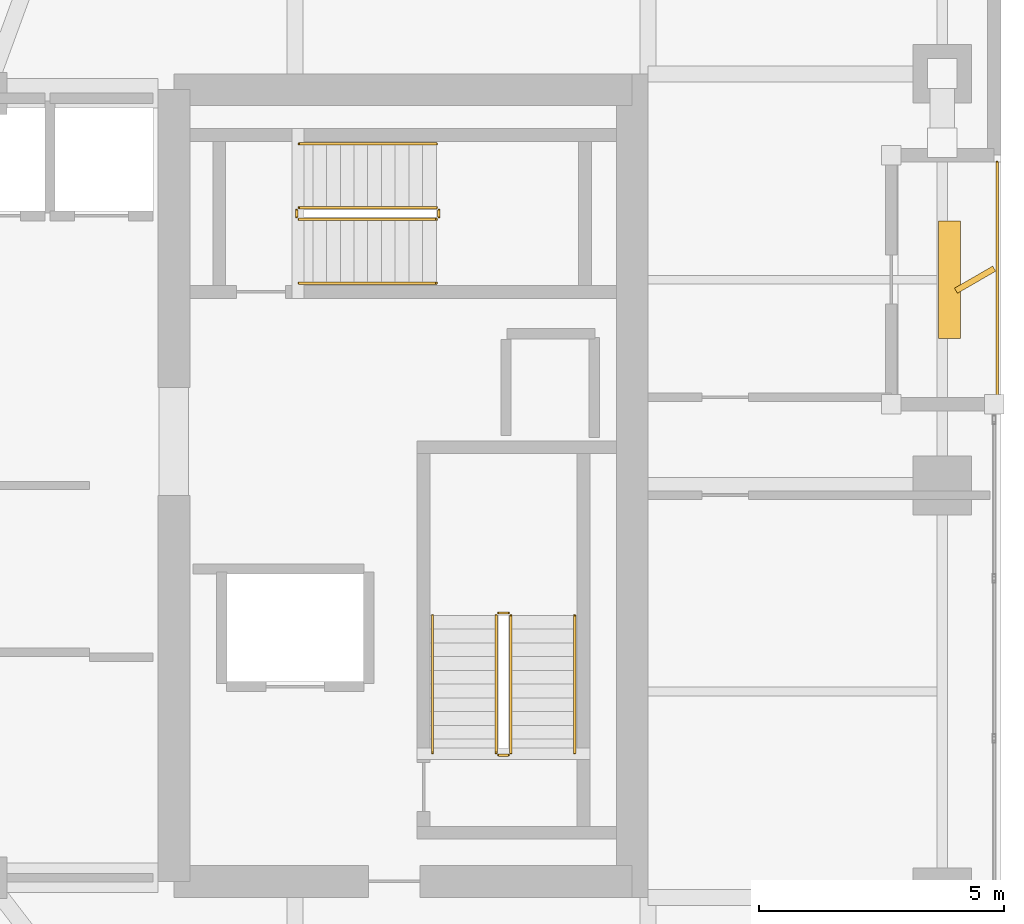
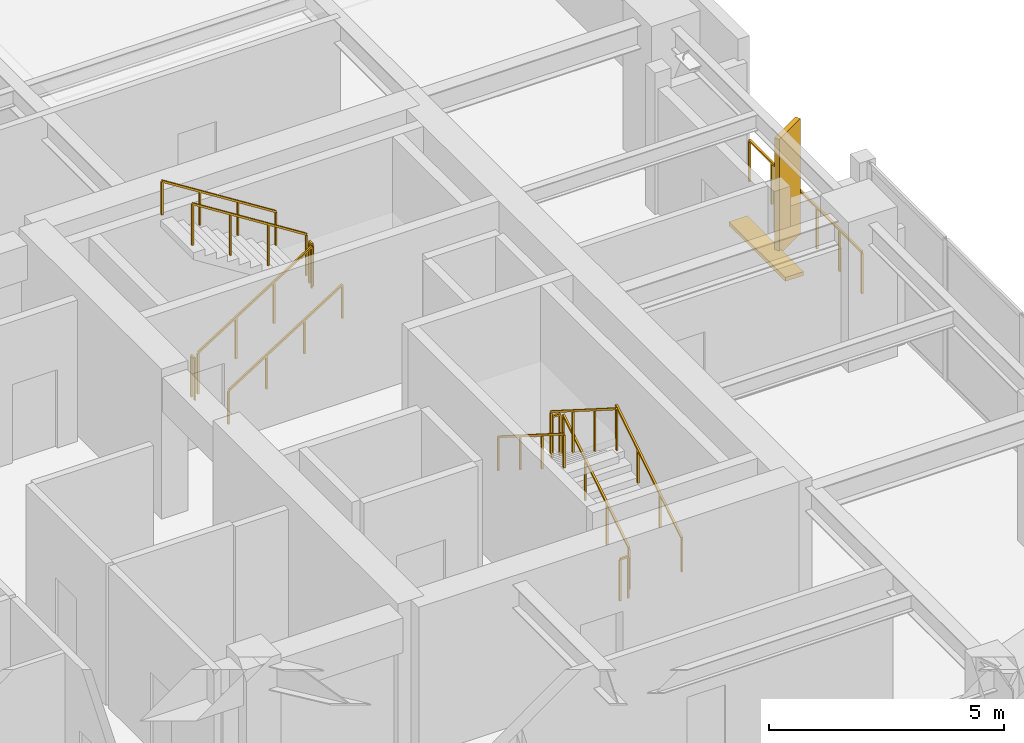
# One storey, part 29 of 30: 13 railings, 2 shading devices.
"""IFC4 building model written with IfcOpenShell, lengths in metres."""

from ifc_helpers import new_model, si_unit, direction, frame, origin, origin_2d, place, context, subcontext, project, spatial, rectangle, extrude, material, type_object, element, save


model = new_model("IFC4")

# Units and contexts
model_context = context("Model", 3, precision=1e-05, world=origin(), true_north=direction((0.0, 1.0)))
body_context = subcontext(model_context, "Body", "Model", "MODEL_VIEW")
ifc_project = project(units=[si_unit("LENGTHUNIT", "METRE"), si_unit("AREAUNIT", "SQUARE_METRE"), si_unit("VOLUMEUNIT", "CUBIC_METRE"), si_unit("PLANEANGLEUNIT", "RADIAN"), si_unit("MASSUNIT", "GRAM", prefix="KILO")], contexts=[model_context])

# Site, building, storey
site_placement = place(None, origin())
site = spatial("IfcSite", under=ifc_project, at=site_placement, CompositionType="ELEMENT")
building_placement = place(site_placement, origin())
building = spatial("IfcBuilding", under=site, at=building_placement, Name="Kiyonajd Concourse Tower", CompositionType="ELEMENT")
storey_placement = place(building_placement, frame((0.0, 0.0, 198.0)))
storey = spatial("IfcBuildingStorey", under=building, at=storey_placement, Name="L50", CompositionType="ELEMENT", Elevation=198.0)

# Railings
ifc_material_1 = material(Name="Thermally Broken Anodised Aluminium", Category="aluminium")
railing_type_1 = type_object("IfcRailingType", Name="RL-GRD-LOG", PredefinedType="GUARDRAIL", material=ifc_material_1)
railing_1_placement = place(storey_placement, frame((70.719970703125, 37.800048828125, 0.0)))
element("IfcRailing", 1, at=railing_1_placement, inside=storey, type_object=railing_type_1, Name="L50 Engawa Loggia Perimeter Guard LOG-E", PredefinedType="GUARDRAIL", context=body_context, shape_type="SweptSolid", body=[
    extrude(rectangle(XDim=0.048095703125, YDim=0.048095703125, at=origin_2d()), frame((0.0, 0.0, 1.076171875), z_axis=(0.0, 1.0, 0.0), x_axis=(-1.0, 0.0, 0.0)), (0.0, 0.0, 1.0), 4.800048828125),
    extrude(rectangle(XDim=0.0419921875, YDim=0.0419921875, at=origin_2d()), origin(), (0.0, 0.0, 1.0), 1.052001953125),
    extrude(rectangle(XDim=0.0419921875, YDim=0.0419921875, at=origin_2d()), frame((0.0, 0.9599609375, 0.0)), (0.0, 0.0, 1.0), 1.052001953125),
    extrude(rectangle(XDim=0.0419921875, YDim=0.0419921875, at=origin_2d()), frame((0.0, 1.919921875, 0.0)), (0.0, 0.0, 1.0), 1.052001953125),
    extrude(rectangle(XDim=0.0419921875, YDim=0.0419921875, at=origin_2d()), frame((0.0, 2.880126953125, 0.0)), (0.0, 0.0, 1.0), 1.052001953125),
    extrude(rectangle(XDim=0.0419921875, YDim=0.0419921875, at=origin_2d()), frame((0.0, 3.840087890625, 0.0)), (0.0, 0.0, 1.0), 1.052001953125),
    extrude(rectangle(XDim=0.0419921875, YDim=0.0419921875, at=origin_2d()), frame((0.0, 4.800048828125, 0.0)), (0.0, 0.0, 1.0), 1.052001953125),
])
ifc_material_2 = material(Name="Steel ASTM A500 Grade C", Category="steel")
railing_type_2 = type_object("IfcRailingType", Name="RL-GRD-STR", PredefinedType="GUARDRAIL", material=ifc_material_2)
railing_2_placement = place(storey_placement, frame((60.800048828125, 30.550048828125, 0.17724609375)))
element("IfcRailing", 2, at=railing_2_placement, inside=storey, type_object=railing_type_2, Name="L50 ST2 stair guard 1", PredefinedType="GUARDRAIL", context=body_context, shape_type="SweptSolid", body=[
    extrude(rectangle(XDim=0.048095703125, YDim=0.048095703125, at=origin_2d()), frame((0.0, 0.0, 1.076171875), z_axis=(0.0, 0.844908973607, 0.534910110503), x_axis=(-1.0, 0.0, 0.0)), (0.0, 0.0, 1.0), 3.31396484375),
    extrude(rectangle(XDim=0.0419921875, YDim=0.0419921875, at=origin_2d()), origin(), (0.0, 0.0, 1.0), 1.052001953125),
    extrude(rectangle(XDim=0.0419921875, YDim=0.0419921875, at=origin_2d()), frame((0.0, 0.933349609375, 0.5908203125)), (0.0, 0.0, 1.0), 1.052001953125),
    extrude(rectangle(XDim=0.0419921875, YDim=0.0419921875, at=origin_2d()), frame((0.0, 1.86669921875, 1.181884765625)), (0.0, 0.0, 1.0), 1.052001953125),
    extrude(rectangle(XDim=0.0419921875, YDim=0.0419921875, at=origin_2d()), frame((0.0, 2.800048828125, 1.772705078125)), (0.0, 0.0, 1.0), 1.052001953125),
])
railing_3_placement = place(storey_placement, frame((60.75, 33.39990234375, 1.949951171875)))
element("IfcRailing", 3, at=railing_3_placement, inside=storey, type_object=railing_type_2, Name="L50 ST2 stair guard 2", PredefinedType="GUARDRAIL", context=body_context, shape_type="SweptSolid", body=[
    extrude(rectangle(XDim=0.048095703125, YDim=0.048095703125, at=origin_2d()), frame((0.0, 0.0, 1.076171875), z_axis=(-1.0, 0.0, 0.0), x_axis=(0.0, -1.0, 0.0)), (0.0, 0.0, 1.0), 0.199951171875),
    extrude(rectangle(XDim=0.0419921875, YDim=0.0419921875, at=origin_2d()), origin(), (0.0, 0.0, 1.0), 1.052001953125),
    extrude(rectangle(XDim=0.0419921875, YDim=0.0419921875, at=origin_2d()), frame((-0.199951171875, 0.0, 0.0)), (0.0, 0.0, 1.0), 1.052001953125),
])
railing_4_placement = place(storey_placement, frame((60.5, 33.35009765625, 2.127197265625)))
element("IfcRailing", 4, at=railing_4_placement, inside=storey, type_object=railing_type_2, Name="L50 ST2 stair guard 3", PredefinedType="GUARDRAIL", context=body_context, shape_type="SweptSolid", body=[
    extrude(rectangle(XDim=0.048095703125, YDim=0.048095703125, at=origin_2d()), frame((0.0, 0.0, 1.076171875), z_axis=(0.0, -0.844908973607, 0.534910110503), x_axis=(1.0, 0.0, 0.0)), (0.0, 0.0, 1.0), 3.31396484375),
    extrude(rectangle(XDim=0.0419921875, YDim=0.0419921875, at=origin_2d()), origin(), (0.0, 0.0, 1.0), 1.052001953125),
    extrude(rectangle(XDim=0.0419921875, YDim=0.0419921875, at=origin_2d()), frame((0.0, -0.933349609375, 0.5908203125)), (0.0, 0.0, 1.0), 1.052001953125),
    extrude(rectangle(XDim=0.0419921875, YDim=0.0419921875, at=origin_2d()), frame((0.0, -1.86669921875, 1.181884765625)), (0.0, 0.0, 1.0), 1.052001953125),
    extrude(rectangle(XDim=0.0419921875, YDim=0.0419921875, at=origin_2d()), frame((0.0, -2.800048828125, 1.772705078125)), (0.0, 0.0, 1.0), 1.052001953125),
])
railing_5_placement = place(storey_placement, frame((60.75, 30.5, 0.0)))
element("IfcRailing", 5, at=railing_5_placement, inside=storey, type_object=railing_type_2, Name="L50 ST2 stair guard 4", PredefinedType="GUARDRAIL", context=body_context, shape_type="SweptSolid", body=[
    extrude(rectangle(XDim=0.048095703125, YDim=0.048095703125, at=origin_2d()), frame((0.0, 0.0, 1.076171875), z_axis=(-1.0, 0.0, 0.0), x_axis=(0.0, -1.0, 0.0)), (0.0, 0.0, 1.0), 0.199951171875),
    extrude(rectangle(XDim=0.0419921875, YDim=0.0419921875, at=origin_2d()), origin(), (0.0, 0.0, 1.0), 1.052001953125),
    extrude(rectangle(XDim=0.0419921875, YDim=0.0419921875, at=origin_2d()), frame((-0.199951171875, 0.0, 0.0)), (0.0, 0.0, 1.0), 1.052001953125),
])
railing_6_placement = place(storey_placement, frame((56.47998046875, 41.429931640625, 0.17724609375)))
element("IfcRailing", 6, at=railing_6_placement, inside=storey, type_object=railing_type_2, Name="L50 ST3 stair guard 1", PredefinedType="GUARDRAIL", context=body_context, shape_type="SweptSolid", body=[
    extrude(rectangle(XDim=0.048095703125, YDim=0.048095703125, at=origin_2d()), frame((0.0, 0.0, 1.076171875), z_axis=(0.844908973607, 0.0, 0.534910110503), x_axis=(0.0, 1.0, 0.0)), (0.0, 0.0, 1.0), 3.31396484375),
    extrude(rectangle(XDim=0.0419921875, YDim=0.0419921875, at=origin_2d()), origin(), (0.0, 0.0, 1.0), 1.052001953125),
    extrude(rectangle(XDim=0.0419921875, YDim=0.0419921875, at=origin_2d()), frame((0.933349609375, 0.0, 0.5908203125)), (0.0, 0.0, 1.0), 1.052001953125),
    extrude(rectangle(XDim=0.0419921875, YDim=0.0419921875, at=origin_2d()), frame((1.86669921875, 0.0, 1.181884765625)), (0.0, 0.0, 1.0), 1.052001953125),
    extrude(rectangle(XDim=0.0419921875, YDim=0.0419921875, at=origin_2d()), frame((2.800048828125, 0.0, 1.772705078125)), (0.0, 0.0, 1.0), 1.052001953125),
])
railing_7_placement = place(storey_placement, frame((59.330078125, 41.47998046875, 1.949951171875)))
element("IfcRailing", 7, at=railing_7_placement, inside=storey, type_object=railing_type_2, Name="L50 ST3 stair guard 2", PredefinedType="GUARDRAIL", context=body_context, shape_type="SweptSolid", body=[
    extrude(rectangle(XDim=0.048095703125, YDim=0.048095703125, at=origin_2d()), frame((0.0, 0.0, 1.076171875), z_axis=(0.0, 1.0, 0.0), x_axis=(-1.0, 0.0, 0.0)), (0.0, 0.0, 1.0), 0.14013671875),
    extrude(rectangle(XDim=0.0419921875, YDim=0.0419921875, at=origin_2d()), origin(), (0.0, 0.0, 1.0), 1.052001953125),
    extrude(rectangle(XDim=0.0419921875, YDim=0.0419921875, at=origin_2d()), frame((0.0, 0.14013671875, 0.0)), (0.0, 0.0, 1.0), 1.052001953125),
])
railing_8_placement = place(storey_placement, frame((59.280029296875, 41.669921875, 2.127197265625)))
element("IfcRailing", 8, at=railing_8_placement, inside=storey, type_object=railing_type_2, Name="L50 ST3 stair guard 3", PredefinedType="GUARDRAIL", context=body_context, shape_type="SweptSolid", body=[
    extrude(rectangle(XDim=0.048095703125, YDim=0.048095703125, at=origin_2d()), frame((0.0, 0.0, 1.076171875), z_axis=(-0.844908973607, 0.0, 0.534910110503), x_axis=(0.0, -1.0, 0.0)), (0.0, 0.0, 1.0), 3.31396484375),
    extrude(rectangle(XDim=0.0419921875, YDim=0.0419921875, at=origin_2d()), origin(), (0.0, 0.0, 1.0), 1.052001953125),
    extrude(rectangle(XDim=0.0419921875, YDim=0.0419921875, at=origin_2d()), frame((-0.933349609375, 0.0, 0.5908203125)), (0.0, 0.0, 1.0), 1.052001953125),
    extrude(rectangle(XDim=0.0419921875, YDim=0.0419921875, at=origin_2d()), frame((-1.86669921875, 0.0, 1.181884765625)), (0.0, 0.0, 1.0), 1.052001953125),
    extrude(rectangle(XDim=0.0419921875, YDim=0.0419921875, at=origin_2d()), frame((-2.800048828125, 0.0, 1.772705078125)), (0.0, 0.0, 1.0), 1.052001953125),
])
railing_9_placement = place(storey_placement, frame((56.429931640625, 41.47998046875, 0.0)))
element("IfcRailing", 9, at=railing_9_placement, inside=storey, type_object=railing_type_2, Name="L50 ST3 stair guard 4", PredefinedType="GUARDRAIL", context=body_context, shape_type="SweptSolid", body=[
    extrude(rectangle(XDim=0.048095703125, YDim=0.048095703125, at=origin_2d()), frame((0.0, 0.0, 1.076171875), z_axis=(0.0, 1.0, 0.0), x_axis=(-1.0, 0.0, 0.0)), (0.0, 0.0, 1.0), 0.14013671875),
    extrude(rectangle(XDim=0.0419921875, YDim=0.0419921875, at=origin_2d()), origin(), (0.0, 0.0, 1.0), 1.052001953125),
    extrude(rectangle(XDim=0.0419921875, YDim=0.0419921875, at=origin_2d()), frame((0.0, 0.14013671875, 0.0)), (0.0, 0.0, 1.0), 1.052001953125),
])
ifc_material_3 = material(Name="Brushed Stainless Steel Cab Assembly", Category="steel")
railing_type_3 = type_object("IfcRailingType", Name="RL-HND-900", PredefinedType="HANDRAIL", material=ifc_material_3)
railing_10_placement = place(storey_placement, frame((62.10009765625, 30.550048828125, 0.17724609375)))
element("IfcRailing", 10, at=railing_10_placement, inside=storey, type_object=railing_type_3, Name="L50 ST2 stair handrail 1", PredefinedType="HANDRAIL", context=body_context, shape_type="SweptSolid", body=[
    extrude(rectangle(XDim=0.048095703125, YDim=0.048095703125, at=origin_2d()), frame((0.0, 0.0, 0.8759765625), z_axis=(0.0, 0.844908973607, 0.534910110503), x_axis=(-1.0, 0.0, 0.0)), (0.0, 0.0, 1.0), 3.31396484375),
    extrude(rectangle(XDim=0.0419921875, YDim=0.0419921875, at=origin_2d()), origin(), (0.0, 0.0, 1.0), 0.851806640625),
    extrude(rectangle(XDim=0.0419921875, YDim=0.0419921875, at=origin_2d()), frame((0.0, 0.933349609375, 0.5908203125)), (0.0, 0.0, 1.0), 0.851806640625),
    extrude(rectangle(XDim=0.0419921875, YDim=0.0419921875, at=origin_2d()), frame((0.0, 1.86669921875, 1.181884765625)), (0.0, 0.0, 1.0), 0.851806640625),
    extrude(rectangle(XDim=0.0419921875, YDim=0.0419921875, at=origin_2d()), frame((0.0, 2.800048828125, 1.772705078125)), (0.0, 0.0, 1.0), 0.851806640625),
])
railing_11_placement = place(storey_placement, frame((59.199951171875, 33.35009765625, 2.127197265625)))
element("IfcRailing", 11, at=railing_11_placement, inside=storey, type_object=railing_type_3, Name="L50 ST2 stair handrail 2", PredefinedType="HANDRAIL", context=body_context, shape_type="SweptSolid", body=[
    extrude(rectangle(XDim=0.048095703125, YDim=0.048095703125, at=origin_2d()), frame((0.0, 0.0, 0.8759765625), z_axis=(0.0, -0.844908973607, 0.534910110503), x_axis=(1.0, 0.0, 0.0)), (0.0, 0.0, 1.0), 3.31396484375),
    extrude(rectangle(XDim=0.0419921875, YDim=0.0419921875, at=origin_2d()), origin(), (0.0, 0.0, 1.0), 0.851806640625),
    extrude(rectangle(XDim=0.0419921875, YDim=0.0419921875, at=origin_2d()), frame((0.0, -0.933349609375, 0.5908203125)), (0.0, 0.0, 1.0), 0.851806640625),
    extrude(rectangle(XDim=0.0419921875, YDim=0.0419921875, at=origin_2d()), frame((0.0, -1.86669921875, 1.181884765625)), (0.0, 0.0, 1.0), 0.851806640625),
    extrude(rectangle(XDim=0.0419921875, YDim=0.0419921875, at=origin_2d()), frame((0.0, -2.800048828125, 1.772705078125)), (0.0, 0.0, 1.0), 0.851806640625),
])
railing_12_placement = place(storey_placement, frame((56.47998046875, 40.1298828125, 0.17724609375)))
element("IfcRailing", 12, at=railing_12_placement, inside=storey, type_object=railing_type_3, Name="L50 ST3 stair handrail 1", PredefinedType="HANDRAIL", context=body_context, shape_type="SweptSolid", body=[
    extrude(rectangle(XDim=0.048095703125, YDim=0.048095703125, at=origin_2d()), frame((0.0, 0.0, 0.8759765625), z_axis=(0.844908973607, 0.0, 0.534910110503), x_axis=(0.0, 1.0, 0.0)), (0.0, 0.0, 1.0), 3.31396484375),
    extrude(rectangle(XDim=0.0419921875, YDim=0.0419921875, at=origin_2d()), origin(), (0.0, 0.0, 1.0), 0.851806640625),
    extrude(rectangle(XDim=0.0419921875, YDim=0.0419921875, at=origin_2d()), frame((0.933349609375, 0.0, 0.5908203125)), (0.0, 0.0, 1.0), 0.851806640625),
    extrude(rectangle(XDim=0.0419921875, YDim=0.0419921875, at=origin_2d()), frame((1.86669921875, 0.0, 1.181884765625)), (0.0, 0.0, 1.0), 0.851806640625),
    extrude(rectangle(XDim=0.0419921875, YDim=0.0419921875, at=origin_2d()), frame((2.800048828125, 0.0, 1.772705078125)), (0.0, 0.0, 1.0), 0.851806640625),
])
railing_13_placement = place(storey_placement, frame((59.280029296875, 42.969970703125, 2.127197265625)))
element("IfcRailing", 13, at=railing_13_placement, inside=storey, type_object=railing_type_3, Name="L50 ST3 stair handrail 2", PredefinedType="HANDRAIL", context=body_context, shape_type="SweptSolid", body=[
    extrude(rectangle(XDim=0.048095703125, YDim=0.048095703125, at=origin_2d()), frame((0.0, 0.0, 0.8759765625), z_axis=(-0.844908973607, 0.0, 0.534910110503), x_axis=(0.0, -1.0, 0.0)), (0.0, 0.0, 1.0), 3.31396484375),
    extrude(rectangle(XDim=0.0419921875, YDim=0.0419921875, at=origin_2d()), origin(), (0.0, 0.0, 1.0), 0.851806640625),
    extrude(rectangle(XDim=0.0419921875, YDim=0.0419921875, at=origin_2d()), frame((-0.933349609375, 0.0, 0.5908203125)), (0.0, 0.0, 1.0), 0.851806640625),
    extrude(rectangle(XDim=0.0419921875, YDim=0.0419921875, at=origin_2d()), frame((-1.86669921875, 0.0, 1.181884765625)), (0.0, 0.0, 1.0), 0.851806640625),
    extrude(rectangle(XDim=0.0419921875, YDim=0.0419921875, at=origin_2d()), frame((-2.800048828125, 0.0, 1.772705078125)), (0.0, 0.0, 1.0), 0.851806640625),
])

# Shading devices
ifc_material_4 = material(Name="Precast concrete C50/60", Category="concrete")
shading_device_type_1 = type_object("IfcShadingDeviceType", Name="SH-FIN-900", PredefinedType="USERDEFINED", material=ifc_material_4)
shading_device_1_placement = place(storey_placement, frame((70.27001953125, 40.199951171875, 0.0), z_axis=(0.0, 0.0, 1.0), x_axis=(0.866025403784, 0.5, 0.0)))
element("IfcShadingDevice", 14, at=shading_device_1_placement, inside=storey, type_object=shading_device_type_1, Name="L50 Angled Koshi Solar Fin LOG-E", ObjectType="FIN", PredefinedType="USERDEFINED", context=body_context, shape_type="SweptSolid", body=[
    extrude(rectangle(XDim=0.89990234375, YDim=0.1201171875, at=origin_2d()), origin(), (0.0, 0.0, 1.0), 3.0),
])
shading_device_type_2 = type_object("IfcShadingDeviceType", Name="SH-LVR-600", PredefinedType="JALOUSIE", material=ifc_material_1)
shading_device_2_placement = place(storey_placement, frame((69.75, 40.199951171875, 0.0), z_axis=(0.0, 0.0, 1.0), x_axis=(0.0, 1.0, 0.0)))
element("IfcShadingDevice", 15, at=shading_device_2_placement, inside=storey, type_object=shading_device_type_2, Name="L50 Loggia Threshold Louver LOG-E", PredefinedType="JALOUSIE", context=body_context, shape_type="SweptSolid", body=[
    extrude(rectangle(XDim=2.39990234375, YDim=0.449951171875, at=origin_2d()), origin(), (0.0, 0.0, 1.0), 0.10009765625),
])

save(model, "model.ifc")
